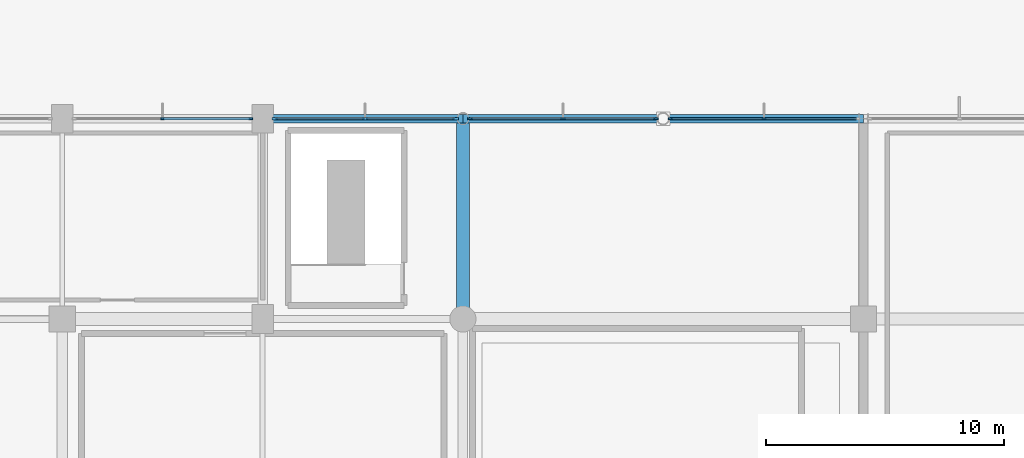
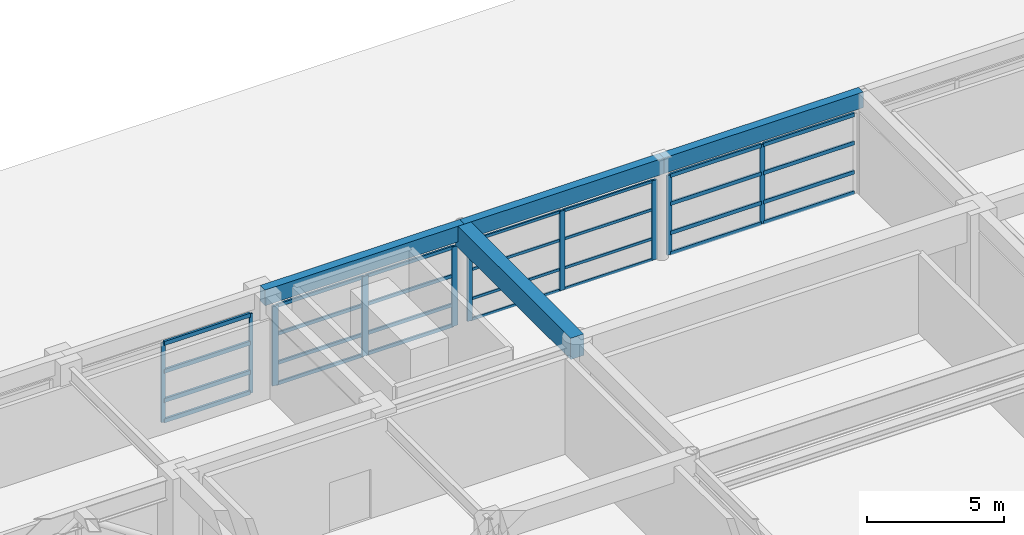
# One storey, part 31 of 47: 38 members, 4 beams, 4 elements without a shape of their own.
"""IFC4 building model written with IfcOpenShell, lengths in metres."""

from ifc_helpers import new_model, si_unit, direction, frame, origin, origin_2d, place, context, subcontext, project, spatial, rectangle, extrude, material, material_profile, profile_set, type_object, element, aggregate, save


model = new_model("IFC4")

# Units and contexts
model_context = context("Model", 3, precision=1e-05, world=origin(), true_north=direction((0.0, 1.0)))
body_context = subcontext(model_context, "Body", "Model", "MODEL_VIEW")
ifc_project = project(units=[si_unit("LENGTHUNIT", "METRE"), si_unit("AREAUNIT", "SQUARE_METRE"), si_unit("VOLUMEUNIT", "CUBIC_METRE"), si_unit("PLANEANGLEUNIT", "RADIAN"), si_unit("MASSUNIT", "GRAM", prefix="KILO")], contexts=[model_context])

# Site, building, storey
site_placement = place(None, origin())
site = spatial("IfcSite", under=ifc_project, at=site_placement, CompositionType="ELEMENT")
building_placement = place(site_placement, origin())
building = spatial("IfcBuilding", under=site, at=building_placement, Name="Xuanlan Plaza Opera House", CompositionType="ELEMENT")
storey_placement = place(building_placement, frame((0.0, 0.0, 23.39990234375)))
storey = spatial("IfcBuildingStorey", under=building, at=storey_placement, Name="L05", CompositionType="ELEMENT", Elevation=23.39990234375)

# Curtain wall, members
ifc_material_1 = material(Name="Anodised Aluminium 6063-T6 and Low-E Glass", Category="aluminium")
curtain_wall_type_1 = type_object("IfcCurtainWallType", Name="ENV-CW-CW-06", PredefinedType="USERDEFINED", material=ifc_material_1)
curtain_wall_1_placement = place(storey_placement, origin())
curtain_wall_1 = element("IfcCurtainWall", 1, at=curtain_wall_1_placement, inside=storey, type_object=curtain_wall_type_1, Name="Acoustic Glazed Wall L05-029", ObjectType="ACOUSTIC GLAZED WALL", PredefinedType="USERDEFINED")
ifc_material_2 = material(Name="Anodised Aluminium 6063-T6", Category="aluminium")
ifc_material_profile_1 = material_profile(ifc_material_2, rectangle(XDim=0.06494140625, YDim=0.159912109375, at=origin_2d()), Name="ALU-M 65x160")
ifc_profile_set_1 = profile_set([ifc_material_profile_1], Name="Anodised Aluminium 6063-T6")
member_type_1 = type_object("IfcMemberType", Name="ENV-CWM-01", PredefinedType="MULLION", material=ifc_profile_set_1)
member_1_placement = place(storey_placement, frame((100.297607421875, 84.0, 0.0), z_axis=(0.0, 0.0, 1.0), x_axis=(0.0, -1.0, 0.0)))
member_1 = element("IfcMember", 2, at=member_1_placement, type_object=member_type_1, Name="CW-06 mullion 1", PredefinedType="MULLION", context=body_context, shape_type="SweptSolid", body=[
    extrude(rectangle(XDim=0.06494140625, YDim=0.159912109375, at=origin_2d()), origin(), (0.0, 0.0, 1.0), 3.5400390625),
])
member_2_placement = place(storey_placement, frame((96.60009765625, 84.0, 0.0), z_axis=(0.0, 0.0, 1.0), x_axis=(0.0, -1.0, 0.0)))
member_2 = element("IfcMember", 3, at=member_2_placement, type_object=member_type_1, Name="CW-06 mullion 2", PredefinedType="MULLION", context=body_context, shape_type="SweptSolid", body=[
    extrude(rectangle(XDim=0.06494140625, YDim=0.159912109375, at=origin_2d()), origin(), (0.0, 0.0, 1.0), 3.5400390625),
])

curtain_wall_type_2 = type_object("IfcCurtainWallType", Name="ENV-CW-CW-05", PredefinedType="USERDEFINED", material=ifc_material_1)
curtain_wall_2_placement = place(storey_placement, origin())
curtain_wall_2 = element("IfcCurtainWall", 4, at=curtain_wall_2_placement, inside=storey, type_object=curtain_wall_type_2, Name="Acoustic Glazed Wall L05-026", ObjectType="ACOUSTIC GLAZED WALL", PredefinedType="USERDEFINED")
ifc_material_profile_2 = material_profile(ifc_material_2, rectangle(XDim=0.074951171875, YDim=0.199951171875, at=origin_2d()), Name="ALU-M 75x200")
ifc_profile_set_2 = profile_set([ifc_material_profile_2], Name="Anodised Aluminium 6063-T6")
member_type_2 = type_object("IfcMemberType", Name="ENV-CWM-03", PredefinedType="MULLION", material=ifc_profile_set_2)
member_3_placement = place(storey_placement, frame((121.826904296875, 84.0, 0.0), z_axis=(0.0, 0.0, 1.0), x_axis=(0.0, -1.0, 0.0)))
member_3 = element("IfcMember", 5, at=member_3_placement, type_object=member_type_2, Name="CW-05 mullion 2", PredefinedType="MULLION", context=body_context, shape_type="SweptSolid", body=[
    extrude(rectangle(XDim=0.074951171875, YDim=0.199951171875, at=origin_2d()), origin(), (0.0, 0.0, 1.0), 3.5400390625),
])
member_4_placement = place(storey_placement, frame((117.91162109375, 84.0, 0.0), z_axis=(0.0, 0.0, 1.0), x_axis=(0.0, -1.0, 0.0)))
member_4 = element("IfcMember", 6, at=member_4_placement, type_object=member_type_2, Name="CW-05 mullion 3", PredefinedType="MULLION", context=body_context, shape_type="SweptSolid", body=[
    extrude(rectangle(XDim=0.074951171875, YDim=0.199951171875, at=origin_2d()), origin(), (0.0, 0.0, 1.0), 3.5400390625),
])

curtain_wall_3_placement = place(storey_placement, origin())
curtain_wall_3 = element("IfcCurtainWall", 7, at=curtain_wall_3_placement, inside=storey, type_object=curtain_wall_type_1, Name="Acoustic Glazed Wall L05-027", ObjectType="ACOUSTIC GLAZED WALL", PredefinedType="USERDEFINED")
ifc_material_profile_3 = material_profile(ifc_material_2, rectangle(XDim=0.080078125, YDim=0.219970703125, at=origin_2d()), Name="ALU-M 80x220")
ifc_profile_set_3 = profile_set([ifc_material_profile_3], Name="Anodised Aluminium 6063-T6")
member_type_3 = type_object("IfcMemberType", Name="ENV-CWM-04", PredefinedType="MULLION", material=ifc_profile_set_3)
member_5_placement = place(storey_placement, frame((117.285888671875, 84.0, 0.0), z_axis=(0.0, 0.0, 1.0), x_axis=(0.0, -1.0, 0.0)))
member_5 = element("IfcMember", 8, at=member_5_placement, type_object=member_type_3, Name="CW-06 mullion 1", PredefinedType="MULLION", context=body_context, shape_type="SweptSolid", body=[
    extrude(rectangle(XDim=0.080078125, YDim=0.219970703125, at=origin_2d()), origin(), (0.0, 0.0, 1.0), 3.5400390625),
])
member_6_placement = place(storey_placement, frame((113.39990234375, 84.0, 0.0), z_axis=(0.0, 0.0, 1.0), x_axis=(0.0, -1.0, 0.0)))
member_6 = element("IfcMember", 9, at=member_6_placement, type_object=member_type_3, Name="CW-06 mullion 2", PredefinedType="MULLION", context=body_context, shape_type="SweptSolid", body=[
    extrude(rectangle(XDim=0.080078125, YDim=0.219970703125, at=origin_2d()), origin(), (0.0, 0.0, 1.0), 3.5400390625),
])
member_7_placement = place(storey_placement, frame((109.513916015625, 84.0, 0.0), z_axis=(0.0, 0.0, 1.0), x_axis=(0.0, -1.0, 0.0)))
member_7 = element("IfcMember", 10, at=member_7_placement, type_object=member_type_3, Name="CW-06 mullion 3", PredefinedType="MULLION", context=body_context, shape_type="SweptSolid", body=[
    extrude(rectangle(XDim=0.080078125, YDim=0.219970703125, at=origin_2d()), origin(), (0.0, 0.0, 1.0), 3.5400390625),
])

curtain_wall_4_placement = place(storey_placement, origin())
curtain_wall_4 = element("IfcCurtainWall", 11, at=curtain_wall_4_placement, inside=storey, type_object=curtain_wall_type_2, Name="Acoustic Glazed Wall L05-028", ObjectType="ACOUSTIC GLAZED WALL", PredefinedType="USERDEFINED")
ifc_material_profile_4 = material_profile(ifc_material_2, rectangle(XDim=0.090087890625, YDim=0.25, at=origin_2d()), Name="ALU-M 90x250")
ifc_profile_set_4 = profile_set([ifc_material_profile_4], Name="Anodised Aluminium 6063-T6")
member_type_4 = type_object("IfcMemberType", Name="ENV-CWM-05", PredefinedType="MULLION", material=ifc_profile_set_4)
member_8_placement = place(storey_placement, frame((108.881103515625, 84.0, 0.0), z_axis=(0.0, 0.0, 1.0), x_axis=(0.0, -1.0, 0.0)))
member_8 = element("IfcMember", 12, at=member_8_placement, type_object=member_type_4, Name="CW-05 mullion 1", PredefinedType="MULLION", context=body_context, shape_type="SweptSolid", body=[
    extrude(rectangle(XDim=0.090087890625, YDim=0.25, at=origin_2d()), origin(), (0.0, 0.0, 1.0), 3.5400390625),
])
member_9_placement = place(storey_placement, frame((105.097900390625, 84.0, 0.0), z_axis=(0.0, 0.0, 1.0), x_axis=(0.0, -1.0, 0.0)))
member_9 = element("IfcMember", 13, at=member_9_placement, type_object=member_type_4, Name="CW-05 mullion 2", PredefinedType="MULLION", context=body_context, shape_type="SweptSolid", body=[
    extrude(rectangle(XDim=0.090087890625, YDim=0.25, at=origin_2d()), origin(), (0.0, 0.0, 1.0), 3.5400390625),
])
member_10_placement = place(storey_placement, frame((101.31494140625, 84.0, 0.0), z_axis=(0.0, 0.0, 1.0), x_axis=(0.0, -1.0, 0.0)))
member_10 = element("IfcMember", 14, at=member_10_placement, type_object=member_type_4, Name="CW-05 mullion 3", PredefinedType="MULLION", context=body_context, shape_type="SweptSolid", body=[
    extrude(rectangle(XDim=0.090087890625, YDim=0.25, at=origin_2d()), origin(), (0.0, 0.0, 1.0), 3.5400390625),
])

# Member
ifc_material_profile_5 = material_profile(ifc_material_2, rectangle(XDim=0.06494140625, YDim=0.1201171875, at=origin_2d()), Name="ALU-T 65x120")
ifc_profile_set_5 = profile_set([ifc_material_profile_5], Name="Anodised Aluminium 6063-T6")
member_type_5 = type_object("IfcMemberType", Name="ENV-CWT-01", PredefinedType="USERDEFINED", material=ifc_profile_set_5)
member_11_placement = place(storey_placement, frame((117.24609375, 84.0, 0.03271484375), z_axis=(-1.0, 0.0, 0.0), x_axis=(0.0, -1.0, 0.0)))
member_11 = element("IfcMember", 15, at=member_11_placement, type_object=member_type_5, Name="CW-06 transom 1.1", ObjectType="TRANSOM", PredefinedType="USERDEFINED", context=body_context, shape_type="SweptSolid", body=[
    extrude(rectangle(XDim=0.06494140625, YDim=0.1201171875, at=origin_2d()), origin(), (0.0, 0.0, 1.0), 3.80615234375),
])

member_12_placement = place(storey_placement, frame((117.24609375, 84.0, 0.9501953125), z_axis=(-1.0, 0.0, 0.0), x_axis=(0.0, -1.0, 0.0)))
member_12 = element("IfcMember", 16, at=member_12_placement, type_object=member_type_5, Name="CW-06 transom 1.2", ObjectType="TRANSOM", PredefinedType="USERDEFINED", context=body_context, shape_type="SweptSolid", body=[
    extrude(rectangle(XDim=0.06494140625, YDim=0.1201171875, at=origin_2d()), origin(), (0.0, 0.0, 1.0), 3.80615234375),
])

member_13_placement = place(storey_placement, frame((117.24609375, 84.0, 2.25), z_axis=(-1.0, 0.0, 0.0), x_axis=(0.0, -1.0, 0.0)))
member_13 = element("IfcMember", 17, at=member_13_placement, type_object=member_type_5, Name="CW-06 transom 1.3", ObjectType="TRANSOM", PredefinedType="USERDEFINED", context=body_context, shape_type="SweptSolid", body=[
    extrude(rectangle(XDim=0.06494140625, YDim=0.1201171875, at=origin_2d()), origin(), (0.0, 0.0, 1.0), 3.80615234375),
])

member_14_placement = place(storey_placement, frame((117.24609375, 84.0, 3.507568359375), z_axis=(-1.0, 0.0, 0.0), x_axis=(0.0, -1.0, 0.0)))
member_14 = element("IfcMember", 18, at=member_14_placement, type_object=member_type_5, Name="CW-06 transom 1.4", ObjectType="TRANSOM", PredefinedType="USERDEFINED", context=body_context, shape_type="SweptSolid", body=[
    extrude(rectangle(XDim=0.06494140625, YDim=0.1201171875, at=origin_2d()), origin(), (0.0, 0.0, 1.0), 3.80615234375),
])

member_15_placement = place(storey_placement, frame((113.360107421875, 84.0, 0.03271484375), z_axis=(-1.0, 0.0, 0.0), x_axis=(0.0, -1.0, 0.0)))
member_15 = element("IfcMember", 19, at=member_15_placement, type_object=member_type_5, Name="CW-06 transom 2.1", ObjectType="TRANSOM", PredefinedType="USERDEFINED", context=body_context, shape_type="SweptSolid", body=[
    extrude(rectangle(XDim=0.06494140625, YDim=0.1201171875, at=origin_2d()), origin(), (0.0, 0.0, 1.0), 3.80615234375),
])

member_16_placement = place(storey_placement, frame((113.360107421875, 84.0, 0.9501953125), z_axis=(-1.0, 0.0, 0.0), x_axis=(0.0, -1.0, 0.0)))
member_16 = element("IfcMember", 20, at=member_16_placement, type_object=member_type_5, Name="CW-06 transom 2.2", ObjectType="TRANSOM", PredefinedType="USERDEFINED", context=body_context, shape_type="SweptSolid", body=[
    extrude(rectangle(XDim=0.06494140625, YDim=0.1201171875, at=origin_2d()), origin(), (0.0, 0.0, 1.0), 3.80615234375),
])

member_17_placement = place(storey_placement, frame((113.360107421875, 84.0, 2.25), z_axis=(-1.0, 0.0, 0.0), x_axis=(0.0, -1.0, 0.0)))
member_17 = element("IfcMember", 21, at=member_17_placement, type_object=member_type_5, Name="CW-06 transom 2.3", ObjectType="TRANSOM", PredefinedType="USERDEFINED", context=body_context, shape_type="SweptSolid", body=[
    extrude(rectangle(XDim=0.06494140625, YDim=0.1201171875, at=origin_2d()), origin(), (0.0, 0.0, 1.0), 3.80615234375),
])

member_18_placement = place(storey_placement, frame((113.360107421875, 84.0, 3.507568359375), z_axis=(-1.0, 0.0, 0.0), x_axis=(0.0, -1.0, 0.0)))
member_18 = element("IfcMember", 22, at=member_18_placement, type_object=member_type_5, Name="CW-06 transom 2.4", ObjectType="TRANSOM", PredefinedType="USERDEFINED", context=body_context, shape_type="SweptSolid", body=[
    extrude(rectangle(XDim=0.06494140625, YDim=0.1201171875, at=origin_2d()), origin(), (0.0, 0.0, 1.0), 3.80615234375),
])

aggregate(curtain_wall_3, [member_5, member_6, member_7, member_11, member_12, member_13, member_14, member_15, member_16, member_17, member_18])

ifc_material_profile_6 = material_profile(ifc_material_2, rectangle(XDim=0.074951171875, YDim=0.14990234375, at=origin_2d()), Name="ALU-T 75x150")
ifc_profile_set_6 = profile_set([ifc_material_profile_6], Name="Anodised Aluminium 6063-T6")
member_type_6 = type_object("IfcMemberType", Name="ENV-CWT-03", PredefinedType="USERDEFINED", material=ifc_profile_set_6)
member_19_placement = place(storey_placement, frame((108.8359375, 84.0, 0.03759765625), z_axis=(-1.0, 0.0, 0.0), x_axis=(0.0, -1.0, 0.0)))
member_19 = element("IfcMember", 23, at=member_19_placement, type_object=member_type_6, Name="CW-05 transom 1.1", ObjectType="TRANSOM", PredefinedType="USERDEFINED", context=body_context, shape_type="SweptSolid", body=[
    extrude(rectangle(XDim=0.074951171875, YDim=0.14990234375, at=origin_2d()), origin(), (0.0, 0.0, 1.0), 3.69287109375),
])

member_20_placement = place(storey_placement, frame((108.8359375, 84.0, 0.9501953125), z_axis=(-1.0, 0.0, 0.0), x_axis=(0.0, -1.0, 0.0)))
member_20 = element("IfcMember", 24, at=member_20_placement, type_object=member_type_6, Name="CW-05 transom 1.2", ObjectType="TRANSOM", PredefinedType="USERDEFINED", context=body_context, shape_type="SweptSolid", body=[
    extrude(rectangle(XDim=0.074951171875, YDim=0.14990234375, at=origin_2d()), origin(), (0.0, 0.0, 1.0), 3.69287109375),
])

member_21_placement = place(storey_placement, frame((108.8359375, 84.0, 2.25), z_axis=(-1.0, 0.0, 0.0), x_axis=(0.0, -1.0, 0.0)))
member_21 = element("IfcMember", 25, at=member_21_placement, type_object=member_type_6, Name="CW-05 transom 1.3", ObjectType="TRANSOM", PredefinedType="USERDEFINED", context=body_context, shape_type="SweptSolid", body=[
    extrude(rectangle(XDim=0.074951171875, YDim=0.14990234375, at=origin_2d()), origin(), (0.0, 0.0, 1.0), 3.69287109375),
])

member_22_placement = place(storey_placement, frame((108.8359375, 84.0, 3.502685546875), z_axis=(-1.0, 0.0, 0.0), x_axis=(0.0, -1.0, 0.0)))
member_22 = element("IfcMember", 26, at=member_22_placement, type_object=member_type_6, Name="CW-05 transom 1.4", ObjectType="TRANSOM", PredefinedType="USERDEFINED", context=body_context, shape_type="SweptSolid", body=[
    extrude(rectangle(XDim=0.074951171875, YDim=0.14990234375, at=origin_2d()), origin(), (0.0, 0.0, 1.0), 3.69287109375),
])

member_23_placement = place(storey_placement, frame((105.052978515625, 84.0, 0.03759765625), z_axis=(-1.0, 0.0, 0.0), x_axis=(0.0, -1.0, 0.0)))
member_23 = element("IfcMember", 27, at=member_23_placement, type_object=member_type_6, Name="CW-05 transom 2.1", ObjectType="TRANSOM", PredefinedType="USERDEFINED", context=body_context, shape_type="SweptSolid", body=[
    extrude(rectangle(XDim=0.074951171875, YDim=0.14990234375, at=origin_2d()), origin(), (0.0, 0.0, 1.0), 3.69287109375),
])

member_24_placement = place(storey_placement, frame((105.052978515625, 84.0, 0.9501953125), z_axis=(-1.0, 0.0, 0.0), x_axis=(0.0, -1.0, 0.0)))
member_24 = element("IfcMember", 28, at=member_24_placement, type_object=member_type_6, Name="CW-05 transom 2.2", ObjectType="TRANSOM", PredefinedType="USERDEFINED", context=body_context, shape_type="SweptSolid", body=[
    extrude(rectangle(XDim=0.074951171875, YDim=0.14990234375, at=origin_2d()), origin(), (0.0, 0.0, 1.0), 3.69287109375),
])

member_25_placement = place(storey_placement, frame((105.052978515625, 84.0, 2.25), z_axis=(-1.0, 0.0, 0.0), x_axis=(0.0, -1.0, 0.0)))
member_25 = element("IfcMember", 29, at=member_25_placement, type_object=member_type_6, Name="CW-05 transom 2.3", ObjectType="TRANSOM", PredefinedType="USERDEFINED", context=body_context, shape_type="SweptSolid", body=[
    extrude(rectangle(XDim=0.074951171875, YDim=0.14990234375, at=origin_2d()), origin(), (0.0, 0.0, 1.0), 3.69287109375),
])

member_26_placement = place(storey_placement, frame((105.052978515625, 84.0, 3.502685546875), z_axis=(-1.0, 0.0, 0.0), x_axis=(0.0, -1.0, 0.0)))
member_26 = element("IfcMember", 30, at=member_26_placement, type_object=member_type_6, Name="CW-05 transom 2.4", ObjectType="TRANSOM", PredefinedType="USERDEFINED", context=body_context, shape_type="SweptSolid", body=[
    extrude(rectangle(XDim=0.074951171875, YDim=0.14990234375, at=origin_2d()), origin(), (0.0, 0.0, 1.0), 3.69287109375),
])

aggregate(curtain_wall_4, [member_8, member_9, member_10, member_19, member_20, member_21, member_22, member_23, member_24, member_25, member_26])

ifc_material_profile_7 = material_profile(ifc_material_2, rectangle(XDim=0.080078125, YDim=0.1650390625, at=origin_2d()), Name="ALU-T 80x165")
ifc_profile_set_7 = profile_set([ifc_material_profile_7], Name="Anodised Aluminium 6063-T6")
member_type_7 = type_object("IfcMemberType", Name="ENV-CWT-04", PredefinedType="USERDEFINED", material=ifc_profile_set_7)
member_27_placement = place(storey_placement, frame((125.705078125, 84.0, 0.0400390625), z_axis=(-1.0, 0.0, 0.0), x_axis=(0.0, -1.0, 0.0)))
member_27 = element("IfcMember", 31, at=member_27_placement, type_object=member_type_7, Name="CW-05 transom 1.1", ObjectType="TRANSOM", PredefinedType="USERDEFINED", context=body_context, shape_type="SweptSolid", body=[
    extrude(rectangle(XDim=0.080078125, YDim=0.1650390625, at=origin_2d()), origin(), (0.0, 0.0, 1.0), 3.840576171875),
])

member_28_placement = place(storey_placement, frame((125.705078125, 84.0, 0.9501953125), z_axis=(-1.0, 0.0, 0.0), x_axis=(0.0, -1.0, 0.0)))
member_28 = element("IfcMember", 32, at=member_28_placement, type_object=member_type_7, Name="CW-05 transom 1.2", ObjectType="TRANSOM", PredefinedType="USERDEFINED", context=body_context, shape_type="SweptSolid", body=[
    extrude(rectangle(XDim=0.080078125, YDim=0.1650390625, at=origin_2d()), origin(), (0.0, 0.0, 1.0), 3.840576171875),
])

member_29_placement = place(storey_placement, frame((125.705078125, 84.0, 2.25), z_axis=(-1.0, 0.0, 0.0), x_axis=(0.0, -1.0, 0.0)))
member_29 = element("IfcMember", 33, at=member_29_placement, type_object=member_type_7, Name="CW-05 transom 1.3", ObjectType="TRANSOM", PredefinedType="USERDEFINED", context=body_context, shape_type="SweptSolid", body=[
    extrude(rectangle(XDim=0.080078125, YDim=0.1650390625, at=origin_2d()), origin(), (0.0, 0.0, 1.0), 3.840576171875),
])

member_30_placement = place(storey_placement, frame((125.705078125, 84.0, 3.5), z_axis=(-1.0, 0.0, 0.0), x_axis=(0.0, -1.0, 0.0)))
member_30 = element("IfcMember", 34, at=member_30_placement, type_object=member_type_7, Name="CW-05 transom 1.4", ObjectType="TRANSOM", PredefinedType="USERDEFINED", context=body_context, shape_type="SweptSolid", body=[
    extrude(rectangle(XDim=0.080078125, YDim=0.1650390625, at=origin_2d()), origin(), (0.0, 0.0, 1.0), 3.840576171875),
])

member_31_placement = place(storey_placement, frame((121.78955078125, 84.0, 0.0400390625), z_axis=(-1.0, 0.0, 0.0), x_axis=(0.0, -1.0, 0.0)))
member_31 = element("IfcMember", 35, at=member_31_placement, type_object=member_type_7, Name="CW-05 transom 2.1", ObjectType="TRANSOM", PredefinedType="USERDEFINED", context=body_context, shape_type="SweptSolid", body=[
    extrude(rectangle(XDim=0.080078125, YDim=0.1650390625, at=origin_2d()), origin(), (0.0, 0.0, 1.0), 3.840576171875),
])

member_32_placement = place(storey_placement, frame((121.78955078125, 84.0, 0.9501953125), z_axis=(-1.0, 0.0, 0.0), x_axis=(0.0, -1.0, 0.0)))
member_32 = element("IfcMember", 36, at=member_32_placement, type_object=member_type_7, Name="CW-05 transom 2.2", ObjectType="TRANSOM", PredefinedType="USERDEFINED", context=body_context, shape_type="SweptSolid", body=[
    extrude(rectangle(XDim=0.080078125, YDim=0.1650390625, at=origin_2d()), origin(), (0.0, 0.0, 1.0), 3.840576171875),
])

member_33_placement = place(storey_placement, frame((121.78955078125, 84.0, 2.25), z_axis=(-1.0, 0.0, 0.0), x_axis=(0.0, -1.0, 0.0)))
member_33 = element("IfcMember", 37, at=member_33_placement, type_object=member_type_7, Name="CW-05 transom 2.3", ObjectType="TRANSOM", PredefinedType="USERDEFINED", context=body_context, shape_type="SweptSolid", body=[
    extrude(rectangle(XDim=0.080078125, YDim=0.1650390625, at=origin_2d()), origin(), (0.0, 0.0, 1.0), 3.840576171875),
])

member_34_placement = place(storey_placement, frame((121.78955078125, 84.0, 3.5), z_axis=(-1.0, 0.0, 0.0), x_axis=(0.0, -1.0, 0.0)))
member_34 = element("IfcMember", 38, at=member_34_placement, type_object=member_type_7, Name="CW-05 transom 2.4", ObjectType="TRANSOM", PredefinedType="USERDEFINED", context=body_context, shape_type="SweptSolid", body=[
    extrude(rectangle(XDim=0.080078125, YDim=0.1650390625, at=origin_2d()), origin(), (0.0, 0.0, 1.0), 3.840576171875),
])

aggregate(curtain_wall_2, [member_3, member_4, member_27, member_28, member_29, member_30, member_31, member_32, member_33, member_34])

ifc_material_profile_8 = material_profile(ifc_material_2, rectangle(XDim=0.090087890625, YDim=0.179931640625, at=origin_2d()), Name="ALU-T 90x180")
ifc_profile_set_8 = profile_set([ifc_material_profile_8], Name="Anodised Aluminium 6063-T6")
member_type_8 = type_object("IfcMemberType", Name="ENV-CWT-05", PredefinedType="USERDEFINED", material=ifc_profile_set_8)
member_35_placement = place(storey_placement, frame((100.264892578125, 84.0, 0.045166015625), z_axis=(-1.0, 0.0, 0.0), x_axis=(0.0, -1.0, 0.0)))
member_35 = element("IfcMember", 39, at=member_35_placement, type_object=member_type_8, Name="CW-06 transom 1.1", ObjectType="TRANSOM", PredefinedType="USERDEFINED", context=body_context, shape_type="SweptSolid", body=[
    extrude(rectangle(XDim=0.090087890625, YDim=0.179931640625, at=origin_2d()), origin(), (0.0, 0.0, 1.0), 3.63232421875),
])

member_36_placement = place(storey_placement, frame((100.264892578125, 84.0, 0.9501953125), z_axis=(-1.0, 0.0, 0.0), x_axis=(0.0, -1.0, 0.0)))
member_36 = element("IfcMember", 40, at=member_36_placement, type_object=member_type_8, Name="CW-06 transom 1.2", ObjectType="TRANSOM", PredefinedType="USERDEFINED", context=body_context, shape_type="SweptSolid", body=[
    extrude(rectangle(XDim=0.090087890625, YDim=0.179931640625, at=origin_2d()), origin(), (0.0, 0.0, 1.0), 3.63232421875),
])

member_37_placement = place(storey_placement, frame((100.264892578125, 84.0, 2.25), z_axis=(-1.0, 0.0, 0.0), x_axis=(0.0, -1.0, 0.0)))
member_37 = element("IfcMember", 41, at=member_37_placement, type_object=member_type_8, Name="CW-06 transom 1.3", ObjectType="TRANSOM", PredefinedType="USERDEFINED", context=body_context, shape_type="SweptSolid", body=[
    extrude(rectangle(XDim=0.090087890625, YDim=0.179931640625, at=origin_2d()), origin(), (0.0, 0.0, 1.0), 3.63232421875),
])

member_38_placement = place(storey_placement, frame((100.264892578125, 84.0, 3.4951171875), z_axis=(-1.0, 0.0, 0.0), x_axis=(0.0, -1.0, 0.0)))
member_38 = element("IfcMember", 42, at=member_38_placement, type_object=member_type_8, Name="CW-06 transom 1.4", ObjectType="TRANSOM", PredefinedType="USERDEFINED", context=body_context, shape_type="SweptSolid", body=[
    extrude(rectangle(XDim=0.090087890625, YDim=0.179931640625, at=origin_2d()), origin(), (0.0, 0.0, 1.0), 3.63232421875),
])

aggregate(curtain_wall_1, [member_1, member_2, member_35, member_36, member_37, member_38])

# Beams
ifc_material_3 = material(Name="Concrete C50", Category="concrete")
ifc_material_profile_9 = material_profile(ifc_material_3, rectangle(XDim=0.550048828125, YDim=0.949951171875, at=origin_2d()), Name="RC-BM 550x950")
ifc_profile_set_9 = profile_set([ifc_material_profile_9], Name="Concrete C50")
beam_type_1 = type_object("IfcBeamType", Name="STR-BM-B-02", PredefinedType="BEAM", material=ifc_profile_set_9)
beam_1_placement = place(storey_placement, frame((109.199951171875, 75.60009765625, 4.025146484375), z_axis=(0.0, 1.0, 0.0), x_axis=(-1.0, 0.0, 0.0)))
element("IfcBeam", 43, at=beam_1_placement, inside=storey, type_object=beam_type_1, Name="Grid Beam Y L05 14/J-K", PredefinedType="BEAM", context=body_context, shape_type="SweptSolid", body=[
    extrude(rectangle(XDim=0.550048828125, YDim=0.949951171875, at=origin_2d()), origin(), (0.0, 0.0, 1.0), 8.39990234375),
])
ifc_material_4 = material(Name="Concrete C40", Category="concrete")
ifc_material_profile_10 = material_profile(ifc_material_4, rectangle(XDim=0.35009765625, YDim=0.699951171875, at=origin_2d()), Name="RC-SPD 350x700")
ifc_profile_set_10 = profile_set([ifc_material_profile_10], Name="Concrete C40")
beam_type_2 = type_object("IfcBeamType", Name="STR-BM-SP-02", PredefinedType="SPANDREL", material=ifc_profile_set_10)
beam_2_placement = place(storey_placement, frame((100.800048828125, 84.0, 4.150146484375), z_axis=(1.0, 0.0, 0.0), x_axis=(0.0, 1.0, 0.0)))
element("IfcBeam", 44, at=beam_2_placement, inside=storey, type_object=beam_type_2, Name="Grid Beam X L05 13-14/K", PredefinedType="SPANDREL", context=body_context, shape_type="SweptSolid", body=[
    extrude(rectangle(XDim=0.35009765625, YDim=0.699951171875, at=origin_2d()), origin(), (0.0, 0.0, 1.0), 8.39990234375),
])
beam_3_placement = place(storey_placement, frame((109.199951171875, 84.0, 4.150146484375), z_axis=(1.0, 0.0, 0.0), x_axis=(0.0, 1.0, 0.0)))
element("IfcBeam", 45, at=beam_3_placement, inside=storey, type_object=beam_type_2, Name="Grid Beam X L05 14-15/K", PredefinedType="SPANDREL", context=body_context, shape_type="SweptSolid", body=[
    extrude(rectangle(XDim=0.35009765625, YDim=0.699951171875, at=origin_2d()), origin(), (0.0, 0.0, 1.0), 8.400146484375),
])
beam_4_placement = place(storey_placement, frame((117.60009765625, 84.0, 4.150146484375), z_axis=(1.0, 0.0, 0.0), x_axis=(0.0, 1.0, 0.0)))
element("IfcBeam", 46, at=beam_4_placement, inside=storey, type_object=beam_type_2, Name="Grid Beam X L05 15-16/K", PredefinedType="SPANDREL", context=body_context, shape_type="SweptSolid", body=[
    extrude(rectangle(XDim=0.35009765625, YDim=0.699951171875, at=origin_2d()), origin(), (0.0, 0.0, 1.0), 8.39990234375),
])

save(model, "model.ifc")
